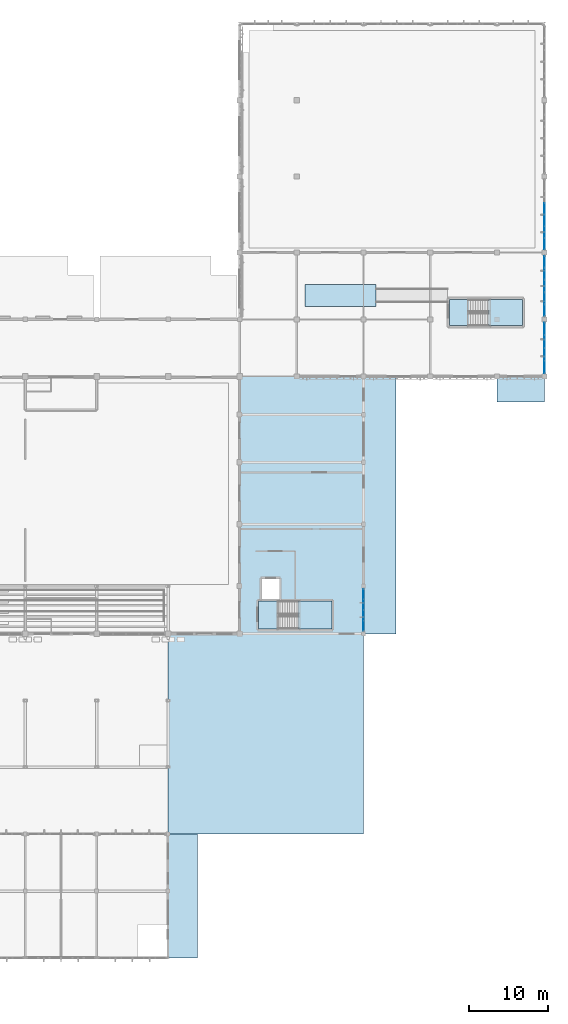
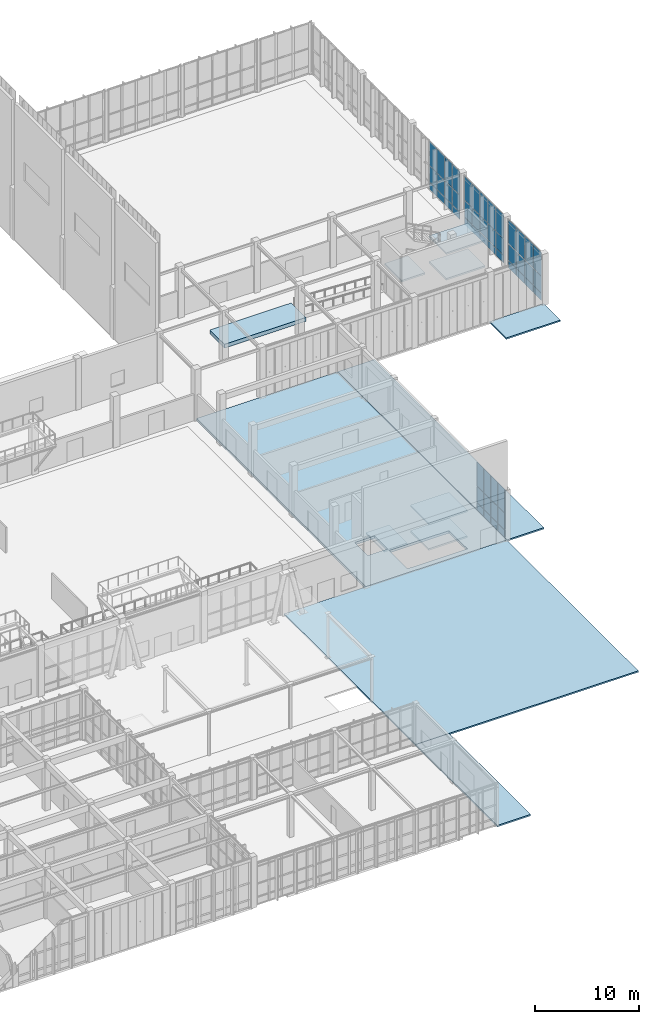
# One storey, part 69 of 110: 51 plates, 12 slabs, 6 elements without a shape of their own.
"""IFC4 building model written with IfcOpenShell, lengths in metres."""

from ifc_helpers import new_model, si_unit, direction, frame, origin, origin_2d, place, context, subcontext, project, spatial, polyline, rectangle, outline, extrude, material, layer, layer_set, type_object, element, aggregate, save


model = new_model("IFC4")

# Units and contexts
model_context = context("Model", 3, precision=1e-05, world=origin(), true_north=direction((0.0, 1.0)))
body_context = subcontext(model_context, "Body", "Model", "MODEL_VIEW")
ifc_project = project(units=[si_unit("LENGTHUNIT", "METRE"), si_unit("AREAUNIT", "SQUARE_METRE"), si_unit("VOLUMEUNIT", "CUBIC_METRE"), si_unit("PLANEANGLEUNIT", "RADIAN"), si_unit("MASSUNIT", "GRAM", prefix="KILO")], contexts=[model_context])

# Site, building, storey
site_placement = place(None, origin())
site = spatial("IfcSite", under=ifc_project, at=site_placement, CompositionType="ELEMENT")
building_placement = place(site_placement, origin())
building = spatial("IfcBuilding", under=site, at=building_placement, Name="Tizgana Railside Sports Hall", CompositionType="ELEMENT")
storey_placement = place(building_placement, origin())
storey = spatial("IfcBuildingStorey", under=building, at=storey_placement, Name="L00", CompositionType="ELEMENT", Elevation=0.0)

# Stair, slabs
ifc_material_1 = material(Name="Concrete C35/45", Category="concrete")
stair_type = type_object("IfcStairType", Name="Core Protected Stair 1500", PredefinedType="HALF_TURN_STAIR", material=ifc_material_1)
stair_1_placement = place(storey_placement, origin())
stair_1 = element("IfcStair", 1, at=stair_1_placement, inside=storey, type_object=stair_type, Name="L00 Core Stair ST-05", PredefinedType="HALF_TURN_STAIR")
ifc_layer_1 = layer(ifc_material_1, 0.199951171875, Name="Concrete C35/45")
ifc_layer_set_1 = layer_set([ifc_layer_1], Name="Concrete C35/45")
slab_type_1 = type_object("IfcSlabType", Name="Core Stair Landing Slab 200", PredefinedType="LANDING", material=ifc_layer_set_1)
slab_1_placement = place(storey_placement, frame((0.0, 0.0, 1.300048828125)))
slab_1 = element("IfcSlab", 2, at=slab_1_placement, type_object=slab_type_1, Name="ST-05 landing 1", PredefinedType="LANDING", context=body_context, shape_type="SweptSolid", body=[
    extrude(outline(polyline([(141.1201171875, 41.39990234375), (145.39990234375, 41.39990234375), (145.39990234375, 44.89990234375), (141.1201171875, 44.89990234375), (141.1201171875, 41.39990234375)])), origin(), (0.0, 0.0, 1.0), 0.199951171875),
])
slab_2_placement = place(storey_placement, frame((0.0, 0.0, 2.800048828125)))
slab_2 = element("IfcSlab", 3, at=slab_2_placement, type_object=slab_type_1, Name="ST-05 landing 2", PredefinedType="LANDING", context=body_context, shape_type="SweptSolid", body=[
    extrude(outline(polyline([(136.199951171875, 41.39990234375), (138.780029296875, 41.39990234375), (138.780029296875, 44.89990234375), (136.199951171875, 44.89990234375), (136.199951171875, 41.39990234375)])), origin(), (0.0, 0.0, 1.0), 0.199951171875),
])
slab_3_placement = place(storey_placement, frame((0.0, 0.0, 4.300048828125)))
slab_3 = element("IfcSlab", 4, at=slab_3_placement, type_object=slab_type_1, Name="ST-05 landing 3", PredefinedType="LANDING", context=body_context, shape_type="SweptSolid", body=[
    extrude(outline(polyline([(141.1201171875, 41.39990234375), (145.39990234375, 41.39990234375), (145.39990234375, 44.89990234375), (141.1201171875, 44.89990234375), (141.1201171875, 41.39990234375)])), origin(), (0.0, 0.0, 1.0), 0.199951171875),
])
aggregate(stair_1, [slab_1, slab_2, slab_3])

stair_2_placement = place(storey_placement, origin())
stair_2 = element("IfcStair", 5, at=stair_2_placement, inside=storey, type_object=stair_type, Name="L00 Core Stair ST-09", PredefinedType="HALF_TURN_STAIR")
slab_4_placement = place(storey_placement, frame((0.0, 0.0, 1.300048828125)))
slab_4 = element("IfcSlab", 6, at=slab_4_placement, type_object=slab_type_1, Name="ST-09 landing 1", PredefinedType="LANDING", context=body_context, shape_type="SweptSolid", body=[
    extrude(outline(polyline([(165.1201171875, 79.60009765625), (169.39990234375, 79.60009765625), (169.39990234375, 82.89990234375), (165.1201171875, 82.89990234375), (165.1201171875, 79.60009765625)])), origin(), (0.0, 0.0, 1.0), 0.199951171875),
])
slab_5_placement = place(storey_placement, frame((0.0, 0.0, 2.800048828125)))
slab_5 = element("IfcSlab", 7, at=slab_5_placement, type_object=slab_type_1, Name="ST-09 landing 2", PredefinedType="LANDING", context=body_context, shape_type="SweptSolid", body=[
    extrude(outline(polyline([(160.199951171875, 79.60009765625), (162.780029296875, 79.60009765625), (162.780029296875, 82.89990234375), (160.199951171875, 82.89990234375), (160.199951171875, 79.60009765625)])), origin(), (0.0, 0.0, 1.0), 0.199951171875),
])
slab_6_placement = place(storey_placement, frame((0.0, 0.0, 4.300048828125)))
slab_6 = element("IfcSlab", 8, at=slab_6_placement, type_object=slab_type_1, Name="ST-09 landing 3", PredefinedType="LANDING", context=body_context, shape_type="SweptSolid", body=[
    extrude(outline(polyline([(165.1201171875, 79.60009765625), (169.39990234375, 79.60009765625), (169.39990234375, 82.89990234375), (165.1201171875, 82.89990234375), (165.1201171875, 79.60009765625)])), origin(), (0.0, 0.0, 1.0), 0.199951171875),
])
aggregate(stair_2, [slab_4, slab_5, slab_6])

# Slabs
ifc_layer_2 = layer(ifc_material_1, 0.169921875, Name="Concrete C35/45")
ifc_layer_set_2 = layer_set([ifc_layer_2], Name="Concrete C35/45")
slab_type_2 = type_object("IfcSlabType", Name="Entrance Canopy & Apron Deck 170", PredefinedType="FLOOR", material=ifc_layer_set_2)
slab_7_placement = place(storey_placement, frame((0.0, 0.0, -0.169921875)))
element("IfcSlab", 9, at=slab_7_placement, inside=storey, type_object=slab_type_2, Name="L00 East Forecourt Plaza APR-0003", PredefinedType="FLOOR", context=body_context, shape_type="SweptSolid", body=[
    extrude(outline(polyline([(124.800048828125, 15.60009765625), (149.39990234375, 15.60009765625), (149.39990234375, 40.800048828125), (124.800048828125, 40.800048828125), (124.800048828125, 15.60009765625)])), origin(), (0.0, 0.0, 1.0), 0.169921875),
])
slab_8_placement = place(storey_placement, frame((0.0, 0.0, -0.169921875)))
element("IfcSlab", 10, at=slab_8_placement, inside=storey, type_object=slab_type_2, Name="L00 East Service & Exit Yard APR-0004", PredefinedType="FLOOR", context=body_context, shape_type="SweptSolid", body=[
    extrude(outline(polyline([(149.449951171875, 40.800048828125), (153.5, 40.800048828125), (153.5, 73.199951171875), (149.449951171875, 73.199951171875), (149.449951171875, 40.800048828125)])), origin(), (0.0, 0.0, 1.0), 0.169921875),
])
slab_9_placement = place(storey_placement, frame((0.0, 0.0, -0.169921875)))
element("IfcSlab", 11, at=slab_9_placement, inside=storey, type_object=slab_type_2, Name="L00 V3 South Exit Apron APR-0007", PredefinedType="FLOOR", context=body_context, shape_type="SweptSolid", body=[
    extrude(outline(polyline([(166.199951171875, 70.0), (172.199951171875, 70.0), (172.199951171875, 73.179931640625), (166.199951171875, 73.179931640625), (166.199951171875, 70.0)])), origin(), (0.0, 0.0, 1.0), 0.169921875),
])
slab_10_placement = place(storey_placement, frame((0.0, 0.0, -0.169921875)))
element("IfcSlab", 12, at=slab_10_placement, inside=storey, type_object=slab_type_2, Name="L00 SE Wing East Apron APR-0012", PredefinedType="FLOOR", context=body_context, shape_type="SweptSolid", body=[
    extrude(outline(polyline([(124.800048828125, 0.0), (128.5, 0.0), (128.5, 15.60009765625), (124.800048828125, 15.60009765625), (124.800048828125, 0.0)])), origin(), (0.0, 0.0, 1.0), 0.169921875),
])
ifc_layer_3 = layer(ifc_material_1, 0.2900390625, Name="Concrete C35/45")
ifc_layer_set_3 = layer_set([ifc_layer_3], Name="Concrete C35/45")
slab_type_3 = type_object("IfcSlabType", Name="Ground Bearing Wing Slab 290", PredefinedType="BASESLAB", material=ifc_layer_set_3)
slab_11_placement = place(storey_placement, frame((0.0, 0.0, -0.2900390625)))
element("IfcSlab", 13, at=slab_11_placement, inside=storey, type_object=slab_type_3, Name="L00 East Link Slab SLB-0009", PredefinedType="BASESLAB", context=body_context, shape_type="SweptSolid", body=[
    extrude(outline(polyline([(133.85009765625, 40.800048828125), (149.39990234375, 40.800048828125), (149.39990234375, 73.199951171875), (133.85009765625, 73.199951171875), (133.85009765625, 40.800048828125)]), holes=[polyline([(138.780029296875, 41.39990234375), (145.39990234375, 41.39990234375), (145.39990234375, 44.89990234375), (138.780029296875, 44.89990234375), (138.780029296875, 41.39990234375)]), polyline([(136.60009765625, 45.199951171875), (138.800048828125, 45.199951171875), (138.800048828125, 47.699951171875), (136.60009765625, 47.699951171875), (136.60009765625, 45.199951171875)])]), origin(), (0.0, 0.0, 1.0), 0.2900390625),
])

# Curtain wall, plates
ifc_material_2 = material(Name="Anodised aluminium and glass", Category="aluminium")
curtain_wall_type_1 = type_object("IfcCurtainWallType", Name="Unitised Curtain Wall WestHall 1560", PredefinedType="NOTDEFINED", material=ifc_material_2)
curtain_wall_1_placement = place(storey_placement, origin())
curtain_wall_1 = element("IfcCurtainWall", 14, at=curtain_wall_1_placement, inside=storey, type_object=curtain_wall_type_1, Name="L00 Curtain Wall CW-0030", PredefinedType="NOTDEFINED")
ifc_material_3 = material(Name="Double low-E laminated glass", Category="glass")
ifc_layer_4 = layer(ifc_material_3, 0.0400390625, Name="Double low-E laminated glass")
ifc_layer_set_4 = layer_set([ifc_layer_4], Name="Double low-E laminated glass")
plate_type_1 = type_object("IfcPlateType", Name="High-Span Tempered Glazing Panel 40", PredefinedType="CURTAIN_PANEL", material=ifc_layer_set_4)
plate_1_placement = place(storey_placement, frame((149.39990234375, 41.8125, 0.10498046875), z_axis=(0.0, 0.0, 1.0), x_axis=(0.0, 1.0, 0.0)))
plate_1 = element("IfcPlate", 15, at=plate_1_placement, type_object=plate_type_1, Name="CW-07 panel 1.1", PredefinedType="CURTAIN_PANEL", context=body_context, shape_type="SweptSolid", body=[
    extrude(rectangle(XDim=1.2451171875, YDim=0.0400390625, at=origin_2d()), origin(), (0.0, 0.0, 1.0), 0.81005859375),
])
plate_2_placement = place(storey_placement, frame((149.39990234375, 41.8125, 0.97509765625), z_axis=(0.0, 0.0, 1.0), x_axis=(0.0, 1.0, 0.0)))
plate_2 = element("IfcPlate", 16, at=plate_2_placement, type_object=plate_type_1, Name="CW-07 panel 1.2", PredefinedType="CURTAIN_PANEL", context=body_context, shape_type="SweptSolid", body=[
    extrude(rectangle(XDim=1.2451171875, YDim=0.0400390625, at=origin_2d()), origin(), (0.0, 0.0, 1.0), 1.8974609375),
])
plate_3_placement = place(storey_placement, frame((149.39990234375, 41.8125, 2.932373046875), z_axis=(0.0, 0.0, 1.0), x_axis=(0.0, 1.0, 0.0)))
plate_3 = element("IfcPlate", 17, at=plate_3_placement, type_object=plate_type_1, Name="CW-07 panel 1.3", PredefinedType="CURTAIN_PANEL", context=body_context, shape_type="SweptSolid", body=[
    extrude(rectangle(XDim=1.2451171875, YDim=0.0400390625, at=origin_2d()), origin(), (0.0, 0.0, 1.0), 2.767578125),
])
plate_4_placement = place(storey_placement, frame((149.39990234375, 43.132568359375, 0.10498046875), z_axis=(0.0, 0.0, 1.0), x_axis=(0.0, 1.0, 0.0)))
plate_4 = element("IfcPlate", 18, at=plate_4_placement, type_object=plate_type_1, Name="CW-07 panel 2.1", PredefinedType="CURTAIN_PANEL", context=body_context, shape_type="SweptSolid", body=[
    extrude(rectangle(XDim=1.27490234375, YDim=0.0400390625, at=origin_2d()), origin(), (0.0, 0.0, 1.0), 0.81005859375),
])
plate_5_placement = place(storey_placement, frame((149.39990234375, 43.132568359375, 0.97509765625), z_axis=(0.0, 0.0, 1.0), x_axis=(0.0, 1.0, 0.0)))
plate_5 = element("IfcPlate", 19, at=plate_5_placement, type_object=plate_type_1, Name="CW-07 panel 2.2", PredefinedType="CURTAIN_PANEL", context=body_context, shape_type="SweptSolid", body=[
    extrude(rectangle(XDim=1.27490234375, YDim=0.0400390625, at=origin_2d()), origin(), (0.0, 0.0, 1.0), 1.8974609375),
])
plate_6_placement = place(storey_placement, frame((149.39990234375, 43.132568359375, 2.932373046875), z_axis=(0.0, 0.0, 1.0), x_axis=(0.0, 1.0, 0.0)))
plate_6 = element("IfcPlate", 20, at=plate_6_placement, type_object=plate_type_1, Name="CW-07 panel 2.3", PredefinedType="CURTAIN_PANEL", context=body_context, shape_type="SweptSolid", body=[
    extrude(rectangle(XDim=1.27490234375, YDim=0.0400390625, at=origin_2d()), origin(), (0.0, 0.0, 1.0), 2.767578125),
])
plate_7_placement = place(storey_placement, frame((149.39990234375, 44.467529296875, 0.10498046875), z_axis=(0.0, 0.0, 1.0), x_axis=(0.0, 1.0, 0.0)))
plate_7 = element("IfcPlate", 21, at=plate_7_placement, type_object=plate_type_1, Name="CW-07 panel 3.1", PredefinedType="CURTAIN_PANEL", context=body_context, shape_type="SweptSolid", body=[
    extrude(rectangle(XDim=1.27490234375, YDim=0.0400390625, at=origin_2d()), origin(), (0.0, 0.0, 1.0), 0.81005859375),
])
plate_8_placement = place(storey_placement, frame((149.39990234375, 44.467529296875, 0.97509765625), z_axis=(0.0, 0.0, 1.0), x_axis=(0.0, 1.0, 0.0)))
plate_8 = element("IfcPlate", 22, at=plate_8_placement, type_object=plate_type_1, Name="CW-07 panel 3.2", PredefinedType="CURTAIN_PANEL", context=body_context, shape_type="SweptSolid", body=[
    extrude(rectangle(XDim=1.27490234375, YDim=0.0400390625, at=origin_2d()), origin(), (0.0, 0.0, 1.0), 1.8974609375),
])
plate_9_placement = place(storey_placement, frame((149.39990234375, 44.467529296875, 2.932373046875), z_axis=(0.0, 0.0, 1.0), x_axis=(0.0, 1.0, 0.0)))
plate_9 = element("IfcPlate", 23, at=plate_9_placement, type_object=plate_type_1, Name="CW-07 panel 3.3", PredefinedType="CURTAIN_PANEL", context=body_context, shape_type="SweptSolid", body=[
    extrude(rectangle(XDim=1.27490234375, YDim=0.0400390625, at=origin_2d()), origin(), (0.0, 0.0, 1.0), 2.767578125),
])
plate_10_placement = place(storey_placement, frame((149.39990234375, 45.78759765625, 0.10498046875), z_axis=(0.0, 0.0, 1.0), x_axis=(0.0, 1.0, 0.0)))
plate_10 = element("IfcPlate", 24, at=plate_10_placement, type_object=plate_type_1, Name="CW-07 panel 4.1", PredefinedType="CURTAIN_PANEL", context=body_context, shape_type="SweptSolid", body=[
    extrude(rectangle(XDim=1.2451171875, YDim=0.0400390625, at=origin_2d()), origin(), (0.0, 0.0, 1.0), 0.81005859375),
])
plate_11_placement = place(storey_placement, frame((149.39990234375, 45.78759765625, 0.97509765625), z_axis=(0.0, 0.0, 1.0), x_axis=(0.0, 1.0, 0.0)))
plate_11 = element("IfcPlate", 25, at=plate_11_placement, type_object=plate_type_1, Name="CW-07 panel 4.2", PredefinedType="CURTAIN_PANEL", context=body_context, shape_type="SweptSolid", body=[
    extrude(rectangle(XDim=1.2451171875, YDim=0.0400390625, at=origin_2d()), origin(), (0.0, 0.0, 1.0), 1.8974609375),
])
plate_12_placement = place(storey_placement, frame((149.39990234375, 45.78759765625, 2.932373046875), z_axis=(0.0, 0.0, 1.0), x_axis=(0.0, 1.0, 0.0)))
plate_12 = element("IfcPlate", 26, at=plate_12_placement, type_object=plate_type_1, Name="CW-07 panel 4.3", PredefinedType="CURTAIN_PANEL", context=body_context, shape_type="SweptSolid", body=[
    extrude(rectangle(XDim=1.2451171875, YDim=0.0400390625, at=origin_2d()), origin(), (0.0, 0.0, 1.0), 2.767578125),
])
aggregate(curtain_wall_1, [plate_1, plate_2, plate_3, plate_4, plate_5, plate_6, plate_7, plate_8, plate_9, plate_10, plate_11, plate_12])

curtain_wall_2_placement = place(storey_placement, origin())
curtain_wall_2 = element("IfcCurtainWall", 27, at=curtain_wall_2_placement, inside=storey, type_object=curtain_wall_type_1, Name="L00 Curtain Wall CW-0062", PredefinedType="NOTDEFINED")
plate_13_placement = place(storey_placement, frame((172.199951171875, 89.931640625, 0.10498046875), z_axis=(0.0, 0.0, 1.0), x_axis=(0.0, 1.0, 0.0)))
plate_13 = element("IfcPlate", 28, at=plate_13_placement, type_object=plate_type_1, Name="CW-07 panel 1.1", PredefinedType="CURTAIN_PANEL", context=body_context, shape_type="SweptSolid", body=[
    extrude(rectangle(XDim=1.38330078125, YDim=0.0400390625, at=origin_2d()), origin(), (0.0, 0.0, 1.0), 0.81005859375),
])
plate_14_placement = place(storey_placement, frame((172.199951171875, 89.931640625, 0.97509765625), z_axis=(0.0, 0.0, 1.0), x_axis=(0.0, 1.0, 0.0)))
plate_14 = element("IfcPlate", 29, at=plate_14_placement, type_object=plate_type_1, Name="CW-07 panel 1.2", PredefinedType="CURTAIN_PANEL", context=body_context, shape_type="SweptSolid", body=[
    extrude(rectangle(XDim=1.38330078125, YDim=0.0400390625, at=origin_2d()), origin(), (0.0, 0.0, 1.0), 1.8974609375),
])
plate_15_placement = place(storey_placement, frame((172.199951171875, 89.931640625, 2.932373046875), z_axis=(0.0, 0.0, 1.0), x_axis=(0.0, 1.0, 0.0)))
plate_15 = element("IfcPlate", 30, at=plate_15_placement, type_object=plate_type_1, Name="CW-07 panel 1.3", PredefinedType="CURTAIN_PANEL", context=body_context, shape_type="SweptSolid", body=[
    extrude(rectangle(XDim=1.38330078125, YDim=0.0400390625, at=origin_2d()), origin(), (0.0, 0.0, 1.0), 2.767578125),
])
plate_16_placement = place(storey_placement, frame((172.199951171875, 91.389892578125, 0.10498046875), z_axis=(0.0, 0.0, 1.0), x_axis=(0.0, 1.0, 0.0)))
plate_16 = element("IfcPlate", 31, at=plate_16_placement, type_object=plate_type_1, Name="CW-07 panel 2.1", PredefinedType="CURTAIN_PANEL", context=body_context, shape_type="SweptSolid", body=[
    extrude(rectangle(XDim=1.413330078125, YDim=0.0400390625, at=origin_2d()), origin(), (0.0, 0.0, 1.0), 0.81005859375),
])
plate_17_placement = place(storey_placement, frame((172.199951171875, 91.389892578125, 0.97509765625), z_axis=(0.0, 0.0, 1.0), x_axis=(0.0, 1.0, 0.0)))
plate_17 = element("IfcPlate", 32, at=plate_17_placement, type_object=plate_type_1, Name="CW-07 panel 2.2", PredefinedType="CURTAIN_PANEL", context=body_context, shape_type="SweptSolid", body=[
    extrude(rectangle(XDim=1.413330078125, YDim=0.0400390625, at=origin_2d()), origin(), (0.0, 0.0, 1.0), 1.8974609375),
])
plate_18_placement = place(storey_placement, frame((172.199951171875, 91.389892578125, 2.932373046875), z_axis=(0.0, 0.0, 1.0), x_axis=(0.0, 1.0, 0.0)))
plate_18 = element("IfcPlate", 33, at=plate_18_placement, type_object=plate_type_1, Name="CW-07 panel 2.3", PredefinedType="CURTAIN_PANEL", context=body_context, shape_type="SweptSolid", body=[
    extrude(rectangle(XDim=1.413330078125, YDim=0.0400390625, at=origin_2d()), origin(), (0.0, 0.0, 1.0), 2.767578125),
])
plate_19_placement = place(storey_placement, frame((172.199951171875, 92.86328125, 0.10498046875), z_axis=(0.0, 0.0, 1.0), x_axis=(0.0, 1.0, 0.0)))
plate_19 = element("IfcPlate", 34, at=plate_19_placement, type_object=plate_type_1, Name="CW-07 panel 3.1", PredefinedType="CURTAIN_PANEL", context=body_context, shape_type="SweptSolid", body=[
    extrude(rectangle(XDim=1.413330078125, YDim=0.0400390625, at=origin_2d()), origin(), (0.0, 0.0, 1.0), 0.81005859375),
])
plate_20_placement = place(storey_placement, frame((172.199951171875, 92.86328125, 0.97509765625), z_axis=(0.0, 0.0, 1.0), x_axis=(0.0, 1.0, 0.0)))
plate_20 = element("IfcPlate", 35, at=plate_20_placement, type_object=plate_type_1, Name="CW-07 panel 3.2", PredefinedType="CURTAIN_PANEL", context=body_context, shape_type="SweptSolid", body=[
    extrude(rectangle(XDim=1.413330078125, YDim=0.0400390625, at=origin_2d()), origin(), (0.0, 0.0, 1.0), 1.8974609375),
])
plate_21_placement = place(storey_placement, frame((172.199951171875, 92.86328125, 2.932373046875), z_axis=(0.0, 0.0, 1.0), x_axis=(0.0, 1.0, 0.0)))
plate_21 = element("IfcPlate", 36, at=plate_21_placement, type_object=plate_type_1, Name="CW-07 panel 3.3", PredefinedType="CURTAIN_PANEL", context=body_context, shape_type="SweptSolid", body=[
    extrude(rectangle(XDim=1.413330078125, YDim=0.0400390625, at=origin_2d()), origin(), (0.0, 0.0, 1.0), 2.767578125),
])
plate_22_placement = place(storey_placement, frame((172.199951171875, 94.336669921875, 0.10498046875), z_axis=(0.0, 0.0, 1.0), x_axis=(0.0, 1.0, 0.0)))
plate_22 = element("IfcPlate", 37, at=plate_22_placement, type_object=plate_type_1, Name="CW-07 panel 4.1", PredefinedType="CURTAIN_PANEL", context=body_context, shape_type="SweptSolid", body=[
    extrude(rectangle(XDim=1.413330078125, YDim=0.0400390625, at=origin_2d()), origin(), (0.0, 0.0, 1.0), 0.81005859375),
])
plate_23_placement = place(storey_placement, frame((172.199951171875, 94.336669921875, 0.97509765625), z_axis=(0.0, 0.0, 1.0), x_axis=(0.0, 1.0, 0.0)))
plate_23 = element("IfcPlate", 38, at=plate_23_placement, type_object=plate_type_1, Name="CW-07 panel 4.2", PredefinedType="CURTAIN_PANEL", context=body_context, shape_type="SweptSolid", body=[
    extrude(rectangle(XDim=1.413330078125, YDim=0.0400390625, at=origin_2d()), origin(), (0.0, 0.0, 1.0), 1.8974609375),
])
plate_24_placement = place(storey_placement, frame((172.199951171875, 94.336669921875, 2.932373046875), z_axis=(0.0, 0.0, 1.0), x_axis=(0.0, 1.0, 0.0)))
plate_24 = element("IfcPlate", 39, at=plate_24_placement, type_object=plate_type_1, Name="CW-07 panel 4.3", PredefinedType="CURTAIN_PANEL", context=body_context, shape_type="SweptSolid", body=[
    extrude(rectangle(XDim=1.413330078125, YDim=0.0400390625, at=origin_2d()), origin(), (0.0, 0.0, 1.0), 2.767578125),
])
aggregate(curtain_wall_2, [plate_13, plate_14, plate_15, plate_16, plate_17, plate_18, plate_19, plate_20, plate_21, plate_22, plate_23, plate_24])

curtain_wall_type_2 = type_object("IfcCurtainWallType", Name="Unitised Curtain Wall Climbing 1600", PredefinedType="NOTDEFINED", material=ifc_material_2)
curtain_wall_3_placement = place(storey_placement, origin())
curtain_wall_3 = element("IfcCurtainWall", 40, at=curtain_wall_3_placement, inside=storey, type_object=curtain_wall_type_2, Name="L00 Curtain Wall CW-0059", PredefinedType="NOTDEFINED")
ifc_layer_5 = layer(ifc_material_3, 0.031982421875, Name="Double low-E laminated glass")
ifc_layer_set_5 = layer_set([ifc_layer_5], Name="Double low-E laminated glass")
plate_type_2 = type_object("IfcPlateType", Name="North-Light Clerestory Glazing Panel 32", PredefinedType="CURTAIN_PANEL", material=ifc_layer_set_5)
plate_25_placement = place(storey_placement, frame((172.199951171875, 81.562744140625, 0.10009765625), z_axis=(0.0, 0.0, 1.0), x_axis=(0.0, 1.0, 0.0)))
plate_25 = element("IfcPlate", 41, at=plate_25_placement, type_object=plate_type_2, Name="CW-04 panel 1.1", PredefinedType="CURTAIN_PANEL", context=body_context, shape_type="SweptSolid", body=[
    extrude(rectangle(XDim=1.41552734375, YDim=0.031982421875, at=origin_2d()), origin(), (0.0, 0.0, 1.0), 0.8173828125),
])
plate_26_placement = place(storey_placement, frame((172.199951171875, 81.562744140625, 0.97265625), z_axis=(0.0, 0.0, 1.0), x_axis=(0.0, 1.0, 0.0)))
plate_26 = element("IfcPlate", 42, at=plate_26_placement, type_object=plate_type_2, Name="CW-04 panel 1.2", PredefinedType="CURTAIN_PANEL", context=body_context, shape_type="SweptSolid", body=[
    extrude(rectangle(XDim=1.41552734375, YDim=0.031982421875, at=origin_2d()), origin(), (0.0, 0.0, 1.0), 1.902587890625),
])
plate_27_placement = place(storey_placement, frame((172.199951171875, 81.562744140625, 2.929931640625), z_axis=(0.0, 0.0, 1.0), x_axis=(0.0, 1.0, 0.0)))
plate_27 = element("IfcPlate", 43, at=plate_27_placement, type_object=plate_type_2, Name="CW-04 panel 1.3", PredefinedType="CURTAIN_PANEL", context=body_context, shape_type="SweptSolid", body=[
    extrude(rectangle(XDim=1.41552734375, YDim=0.031982421875, at=origin_2d()), origin(), (0.0, 0.0, 1.0), 2.77490234375),
])
plate_28_placement = place(storey_placement, frame((172.199951171875, 83.072021484375, 0.10009765625), z_axis=(0.0, 0.0, 1.0), x_axis=(0.0, 1.0, 0.0)))
plate_28 = element("IfcPlate", 44, at=plate_28_placement, type_object=plate_type_2, Name="CW-04 panel 2.1", PredefinedType="CURTAIN_PANEL", context=body_context, shape_type="SweptSolid", body=[
    extrude(rectangle(XDim=1.452880859375, YDim=0.031982421875, at=origin_2d()), origin(), (0.0, 0.0, 1.0), 0.8173828125),
])
plate_29_placement = place(storey_placement, frame((172.199951171875, 83.072021484375, 0.97265625), z_axis=(0.0, 0.0, 1.0), x_axis=(0.0, 1.0, 0.0)))
plate_29 = element("IfcPlate", 45, at=plate_29_placement, type_object=plate_type_2, Name="CW-04 panel 2.2", PredefinedType="CURTAIN_PANEL", context=body_context, shape_type="SweptSolid", body=[
    extrude(rectangle(XDim=1.452880859375, YDim=0.031982421875, at=origin_2d()), origin(), (0.0, 0.0, 1.0), 1.902587890625),
])
plate_30_placement = place(storey_placement, frame((172.199951171875, 83.072021484375, 2.929931640625), z_axis=(0.0, 0.0, 1.0), x_axis=(0.0, 1.0, 0.0)))
plate_30 = element("IfcPlate", 46, at=plate_30_placement, type_object=plate_type_2, Name="CW-04 panel 2.3", PredefinedType="CURTAIN_PANEL", context=body_context, shape_type="SweptSolid", body=[
    extrude(rectangle(XDim=1.452880859375, YDim=0.031982421875, at=origin_2d()), origin(), (0.0, 0.0, 1.0), 2.77490234375),
])
plate_31_placement = place(storey_placement, frame((172.199951171875, 84.60009765625, 0.10009765625), z_axis=(0.0, 0.0, 1.0), x_axis=(0.0, 1.0, 0.0)))
plate_31 = element("IfcPlate", 47, at=plate_31_placement, type_object=plate_type_2, Name="CW-04 panel 3.1", PredefinedType="CURTAIN_PANEL", context=body_context, shape_type="SweptSolid", body=[
    extrude(rectangle(XDim=1.452880859375, YDim=0.031982421875, at=origin_2d()), origin(), (0.0, 0.0, 1.0), 0.8173828125),
])
plate_32_placement = place(storey_placement, frame((172.199951171875, 84.60009765625, 0.97265625), z_axis=(0.0, 0.0, 1.0), x_axis=(0.0, 1.0, 0.0)))
plate_32 = element("IfcPlate", 48, at=plate_32_placement, type_object=plate_type_2, Name="CW-04 panel 3.2", PredefinedType="CURTAIN_PANEL", context=body_context, shape_type="SweptSolid", body=[
    extrude(rectangle(XDim=1.452880859375, YDim=0.031982421875, at=origin_2d()), origin(), (0.0, 0.0, 1.0), 1.902587890625),
])
plate_33_placement = place(storey_placement, frame((172.199951171875, 84.60009765625, 2.929931640625), z_axis=(0.0, 0.0, 1.0), x_axis=(0.0, 1.0, 0.0)))
plate_33 = element("IfcPlate", 49, at=plate_33_placement, type_object=plate_type_2, Name="CW-04 panel 3.3", PredefinedType="CURTAIN_PANEL", context=body_context, shape_type="SweptSolid", body=[
    extrude(rectangle(XDim=1.452880859375, YDim=0.031982421875, at=origin_2d()), origin(), (0.0, 0.0, 1.0), 2.77490234375),
])
plate_34_placement = place(storey_placement, frame((172.199951171875, 86.1279296875, 0.10009765625), z_axis=(0.0, 0.0, 1.0), x_axis=(0.0, 1.0, 0.0)))
plate_34 = element("IfcPlate", 50, at=plate_34_placement, type_object=plate_type_2, Name="CW-04 panel 4.1", PredefinedType="CURTAIN_PANEL", context=body_context, shape_type="SweptSolid", body=[
    extrude(rectangle(XDim=1.452880859375, YDim=0.031982421875, at=origin_2d()), origin(), (0.0, 0.0, 1.0), 0.8173828125),
])
plate_35_placement = place(storey_placement, frame((172.199951171875, 86.1279296875, 0.97265625), z_axis=(0.0, 0.0, 1.0), x_axis=(0.0, 1.0, 0.0)))
plate_35 = element("IfcPlate", 51, at=plate_35_placement, type_object=plate_type_2, Name="CW-04 panel 4.2", PredefinedType="CURTAIN_PANEL", context=body_context, shape_type="SweptSolid", body=[
    extrude(rectangle(XDim=1.452880859375, YDim=0.031982421875, at=origin_2d()), origin(), (0.0, 0.0, 1.0), 1.902587890625),
])
plate_36_placement = place(storey_placement, frame((172.199951171875, 86.1279296875, 2.929931640625), z_axis=(0.0, 0.0, 1.0), x_axis=(0.0, 1.0, 0.0)))
plate_36 = element("IfcPlate", 52, at=plate_36_placement, type_object=plate_type_2, Name="CW-04 panel 4.3", PredefinedType="CURTAIN_PANEL", context=body_context, shape_type="SweptSolid", body=[
    extrude(rectangle(XDim=1.452880859375, YDim=0.031982421875, at=origin_2d()), origin(), (0.0, 0.0, 1.0), 2.77490234375),
])
plate_37_placement = place(storey_placement, frame((172.199951171875, 87.63720703125, 0.10009765625), z_axis=(0.0, 0.0, 1.0), x_axis=(0.0, 1.0, 0.0)))
plate_37 = element("IfcPlate", 53, at=plate_37_placement, type_object=plate_type_2, Name="CW-04 panel 5.1", PredefinedType="CURTAIN_PANEL", context=body_context, shape_type="SweptSolid", body=[
    extrude(rectangle(XDim=1.41552734375, YDim=0.031982421875, at=origin_2d()), origin(), (0.0, 0.0, 1.0), 0.8173828125),
])
plate_38_placement = place(storey_placement, frame((172.199951171875, 87.63720703125, 0.97265625), z_axis=(0.0, 0.0, 1.0), x_axis=(0.0, 1.0, 0.0)))
plate_38 = element("IfcPlate", 54, at=plate_38_placement, type_object=plate_type_2, Name="CW-04 panel 5.2", PredefinedType="CURTAIN_PANEL", context=body_context, shape_type="SweptSolid", body=[
    extrude(rectangle(XDim=1.41552734375, YDim=0.031982421875, at=origin_2d()), origin(), (0.0, 0.0, 1.0), 1.902587890625),
])
plate_39_placement = place(storey_placement, frame((172.199951171875, 87.63720703125, 2.929931640625), z_axis=(0.0, 0.0, 1.0), x_axis=(0.0, 1.0, 0.0)))
plate_39 = element("IfcPlate", 55, at=plate_39_placement, type_object=plate_type_2, Name="CW-04 panel 5.3", PredefinedType="CURTAIN_PANEL", context=body_context, shape_type="SweptSolid", body=[
    extrude(rectangle(XDim=1.41552734375, YDim=0.031982421875, at=origin_2d()), origin(), (0.0, 0.0, 1.0), 2.77490234375),
])
aggregate(curtain_wall_3, [plate_25, plate_26, plate_27, plate_28, plate_29, plate_30, plate_31, plate_32, plate_33, plate_34, plate_35, plate_36, plate_37, plate_38, plate_39])

curtain_wall_type_3 = type_object("IfcCurtainWallType", Name="Unitised Curtain Wall Concourse 1500", PredefinedType="NOTDEFINED", material=ifc_material_2)
curtain_wall_4_placement = place(storey_placement, origin())
curtain_wall_4 = element("IfcCurtainWall", 56, at=curtain_wall_4_placement, inside=storey, type_object=curtain_wall_type_3, Name="L00 Curtain Wall CW-0056", PredefinedType="NOTDEFINED")
ifc_layer_6 = layer(ifc_material_3, 0.028076171875, Name="Double low-E laminated glass")
ifc_layer_set_6 = layer_set([ifc_layer_6], Name="Double low-E laminated glass")
plate_type_3 = type_object("IfcPlateType", Name="Solar Low-E Glazing Panel 28", PredefinedType="CURTAIN_PANEL", material=ifc_layer_set_6)
plate_40_placement = place(storey_placement, frame((172.199951171875, 74.39990234375, 0.10498046875), z_axis=(0.0, 0.0, 1.0), x_axis=(0.0, 1.0, 0.0)))
plate_40 = element("IfcPlate", 57, at=plate_40_placement, type_object=plate_type_3, Name="CW-01 panel 1.1", PredefinedType="CURTAIN_PANEL", context=body_context, shape_type="SweptSolid", body=[
    extrude(rectangle(XDim=1.52001953125, YDim=0.028076171875, at=origin_2d()), origin(), (0.0, 0.0, 1.0), 0.81005859375),
])
plate_41_placement = place(storey_placement, frame((172.199951171875, 74.39990234375, 0.97509765625), z_axis=(0.0, 0.0, 1.0), x_axis=(0.0, 1.0, 0.0)))
plate_41 = element("IfcPlate", 58, at=plate_41_placement, type_object=plate_type_3, Name="CW-01 panel 1.2", PredefinedType="CURTAIN_PANEL", context=body_context, shape_type="SweptSolid", body=[
    extrude(rectangle(XDim=1.52001953125, YDim=0.028076171875, at=origin_2d()), origin(), (0.0, 0.0, 1.0), 1.8974609375),
])
plate_42_placement = place(storey_placement, frame((172.199951171875, 74.39990234375, 2.932373046875), z_axis=(0.0, 0.0, 1.0), x_axis=(0.0, 1.0, 0.0)))
plate_42 = element("IfcPlate", 59, at=plate_42_placement, type_object=plate_type_3, Name="CW-01 panel 1.3", PredefinedType="CURTAIN_PANEL", context=body_context, shape_type="SweptSolid", body=[
    extrude(rectangle(XDim=1.52001953125, YDim=0.028076171875, at=origin_2d()), origin(), (0.0, 0.0, 1.0), 2.767578125),
])
plate_43_placement = place(storey_placement, frame((172.199951171875, 75.9951171875, 0.10498046875), z_axis=(0.0, 0.0, 1.0), x_axis=(0.0, 1.0, 0.0)))
plate_43 = element("IfcPlate", 60, at=plate_43_placement, type_object=plate_type_3, Name="CW-01 panel 2.1", PredefinedType="CURTAIN_PANEL", context=body_context, shape_type="SweptSolid", body=[
    extrude(rectangle(XDim=1.550048828125, YDim=0.028076171875, at=origin_2d()), origin(), (0.0, 0.0, 1.0), 0.81005859375),
])
plate_44_placement = place(storey_placement, frame((172.199951171875, 75.9951171875, 0.97509765625), z_axis=(0.0, 0.0, 1.0), x_axis=(0.0, 1.0, 0.0)))
plate_44 = element("IfcPlate", 61, at=plate_44_placement, type_object=plate_type_3, Name="CW-01 panel 2.2", PredefinedType="CURTAIN_PANEL", context=body_context, shape_type="SweptSolid", body=[
    extrude(rectangle(XDim=1.550048828125, YDim=0.028076171875, at=origin_2d()), origin(), (0.0, 0.0, 1.0), 1.8974609375),
])
plate_45_placement = place(storey_placement, frame((172.199951171875, 75.9951171875, 2.932373046875), z_axis=(0.0, 0.0, 1.0), x_axis=(0.0, 1.0, 0.0)))
plate_45 = element("IfcPlate", 62, at=plate_45_placement, type_object=plate_type_3, Name="CW-01 panel 2.3", PredefinedType="CURTAIN_PANEL", context=body_context, shape_type="SweptSolid", body=[
    extrude(rectangle(XDim=1.550048828125, YDim=0.028076171875, at=origin_2d()), origin(), (0.0, 0.0, 1.0), 2.767578125),
])
plate_46_placement = place(storey_placement, frame((172.199951171875, 77.60498046875, 0.10498046875), z_axis=(0.0, 0.0, 1.0), x_axis=(0.0, 1.0, 0.0)))
plate_46 = element("IfcPlate", 63, at=plate_46_placement, type_object=plate_type_3, Name="CW-01 panel 3.1", PredefinedType="CURTAIN_PANEL", context=body_context, shape_type="SweptSolid", body=[
    extrude(rectangle(XDim=1.550048828125, YDim=0.028076171875, at=origin_2d()), origin(), (0.0, 0.0, 1.0), 0.81005859375),
])
plate_47_placement = place(storey_placement, frame((172.199951171875, 77.60498046875, 0.97509765625), z_axis=(0.0, 0.0, 1.0), x_axis=(0.0, 1.0, 0.0)))
plate_47 = element("IfcPlate", 64, at=plate_47_placement, type_object=plate_type_3, Name="CW-01 panel 3.2", PredefinedType="CURTAIN_PANEL", context=body_context, shape_type="SweptSolid", body=[
    extrude(rectangle(XDim=1.550048828125, YDim=0.028076171875, at=origin_2d()), origin(), (0.0, 0.0, 1.0), 1.8974609375),
])
plate_48_placement = place(storey_placement, frame((172.199951171875, 77.60498046875, 2.932373046875), z_axis=(0.0, 0.0, 1.0), x_axis=(0.0, 1.0, 0.0)))
plate_48 = element("IfcPlate", 65, at=plate_48_placement, type_object=plate_type_3, Name="CW-01 panel 3.3", PredefinedType="CURTAIN_PANEL", context=body_context, shape_type="SweptSolid", body=[
    extrude(rectangle(XDim=1.550048828125, YDim=0.028076171875, at=origin_2d()), origin(), (0.0, 0.0, 1.0), 2.767578125),
])
plate_49_placement = place(storey_placement, frame((172.199951171875, 79.199951171875, 0.10498046875), z_axis=(0.0, 0.0, 1.0), x_axis=(0.0, 1.0, 0.0)))
plate_49 = element("IfcPlate", 66, at=plate_49_placement, type_object=plate_type_3, Name="CW-01 panel 4.1", PredefinedType="CURTAIN_PANEL", context=body_context, shape_type="SweptSolid", body=[
    extrude(rectangle(XDim=1.52001953125, YDim=0.028076171875, at=origin_2d()), origin(), (0.0, 0.0, 1.0), 0.81005859375),
])
plate_50_placement = place(storey_placement, frame((172.199951171875, 79.199951171875, 0.97509765625), z_axis=(0.0, 0.0, 1.0), x_axis=(0.0, 1.0, 0.0)))
plate_50 = element("IfcPlate", 67, at=plate_50_placement, type_object=plate_type_3, Name="CW-01 panel 4.2", PredefinedType="CURTAIN_PANEL", context=body_context, shape_type="SweptSolid", body=[
    extrude(rectangle(XDim=1.52001953125, YDim=0.028076171875, at=origin_2d()), origin(), (0.0, 0.0, 1.0), 1.8974609375),
])
plate_51_placement = place(storey_placement, frame((172.199951171875, 79.199951171875, 2.932373046875), z_axis=(0.0, 0.0, 1.0), x_axis=(0.0, 1.0, 0.0)))
plate_51 = element("IfcPlate", 68, at=plate_51_placement, type_object=plate_type_3, Name="CW-01 panel 4.3", PredefinedType="CURTAIN_PANEL", context=body_context, shape_type="SweptSolid", body=[
    extrude(rectangle(XDim=1.52001953125, YDim=0.028076171875, at=origin_2d()), origin(), (0.0, 0.0, 1.0), 2.767578125),
])
aggregate(curtain_wall_4, [plate_40, plate_41, plate_42, plate_43, plate_44, plate_45, plate_46, plate_47, plate_48, plate_49, plate_50, plate_51])

# Slab
ifc_layer_7 = layer(ifc_material_1, 0.22998046875, Name="Concrete C35/45")
ifc_layer_set_7 = layer_set([ifc_layer_7], Name="Concrete C35/45")
slab_type_4 = type_object("IfcSlabType", Name="Suspended Gallery Floor Slab 230", PredefinedType="FLOOR", material=ifc_layer_set_7)
slab_12_placement = place(storey_placement, origin())
element("IfcSlab", 69, at=slab_12_placement, inside=storey, type_object=slab_type_4, Name="L00 Wheelchair Viewing Platform 4", PredefinedType="FLOOR", context=body_context, shape_type="SweptSolid", body=[
    extrude(outline(polyline([(142.0, 82.0), (151.0, 82.0), (151.0, 84.800048828125), (142.0, 84.800048828125), (142.0, 82.0)])), origin(), (0.0, 0.0, 1.0), 0.449951171875),
])

save(model, "model.ifc")
